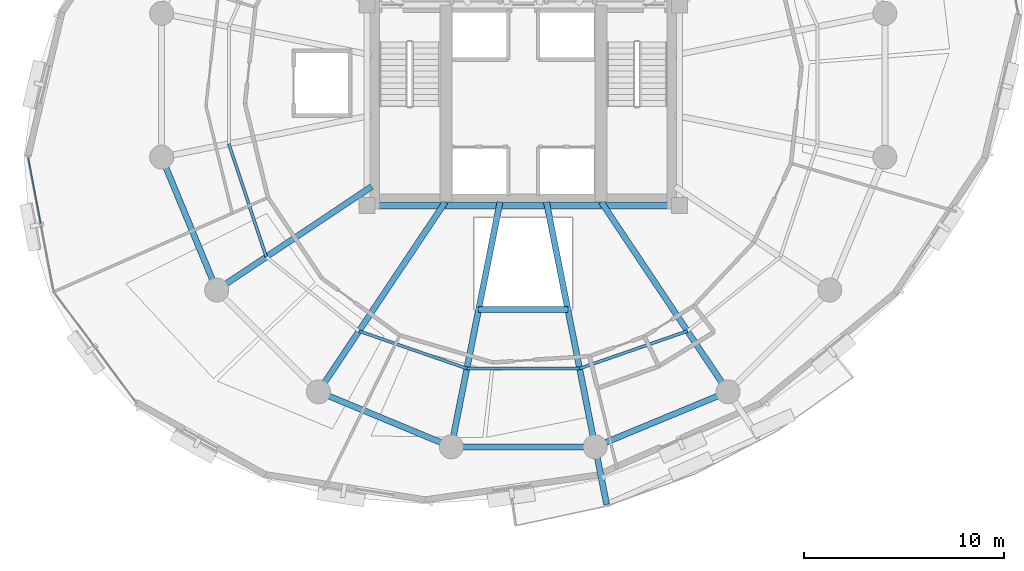
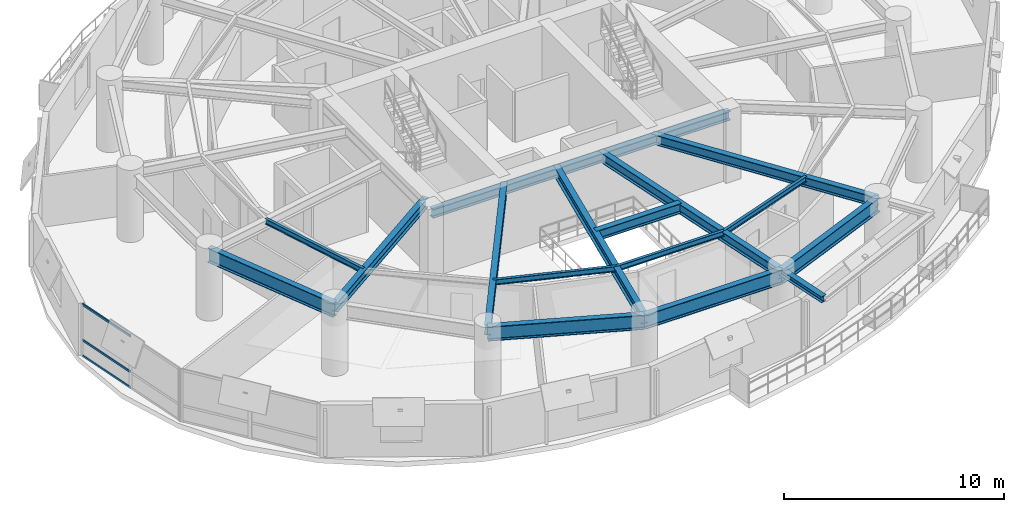
# One storey, part 3 of 14: 16 beams, 3 members, 1 element without a shape of its own.
"""IFC4 building model written with IfcOpenShell, lengths in metres."""

import ifcopenshell
import ifcopenshell.guid

model = None  # the IFC model being written
_history = None  # IfcOwnerHistory: only IFC2X3 demands one
_inside = {}  # id of a spatial element -> (the spatial element, [elements in it])
_under = {}  # id of a project, library or spatial element -> (it, [spatial elements below it])
_declared = {}  # id of a project -> (the project, [libraries it declares])
_typed = {}  # id of a type object -> (the type object, [elements of that type])
_made_of = {}  # id of a material, layer set ... -> (it, [elements and type objects made of it])


def new_model(schema):
    """Start an empty IFC model of exactly this schema.

    Asked for "IFC4X3", IfcOpenShell would pick the latest addendum, in which some entities
    have other attributes; the version numbers below select the first issue.
    IFC2X3 requires an IfcOwnerHistory on every rooted entity: one is made here for all.
    """
    global model, _history
    if schema == "IFC4X3":
        model = ifcopenshell.file(schema_version=(4, 3, 0, 0))
    else:
        model = ifcopenshell.file(schema=schema)
    _inside.clear()
    _under.clear()
    _declared.clear()
    _typed.clear()
    _made_of.clear()
    _history = None
    if model.schema == "IFC2X3":
        org = make("IfcOrganization", Name="unknown")
        user = make(
            "IfcPersonAndOrganization",
            ThePerson=make("IfcPerson", FamilyName="unknown"),
            TheOrganization=org,
        )
        app = make(
            "IfcApplication",
            ApplicationDeveloper=org,
            Version="unknown",
            ApplicationFullName="unknown",
            ApplicationIdentifier="unknown",
        )
        _history = make(
            "IfcOwnerHistory",
            OwningUser=user,
            OwningApplication=app,
            ChangeAction="ADDED",
            CreationDate=0,
        )
    return model


def make(cls, **values):
    """One entity of the class cls with the attributes given. An attribute that is None is left unset."""
    return model.create_entity(
        cls, **{name: value for name, value in values.items() if value is not None}
    )


def rooted(cls, **values):
    """An entity with a GlobalId (a new one), such as an element, a storey or a relation."""
    return make(cls, GlobalId=ifcopenshell.guid.new(), OwnerHistory=_history, **values)


def si_unit(unit_type, name, prefix=None):
    """IfcSIUnit, for example si_unit("LENGTHUNIT", "METRE", prefix="MILLI")."""
    return make("IfcSIUnit", UnitType=unit_type, Prefix=prefix, Name=name)


def assignment(units):
    """IfcUnitAssignment: the units of a project."""
    return None if units is None else make("IfcUnitAssignment", Units=units)


def point(xyz):
    """IfcCartesianPoint."""
    return None if xyz is None else make("IfcCartesianPoint", Coordinates=xyz)


def direction(xyz):
    """IfcDirection."""
    return None if xyz is None else make("IfcDirection", DirectionRatios=xyz)


def frame(location, z_axis=None, x_axis=None):
    """IfcAxis2Placement3D, a coordinate frame: its origin and axes. An axis left out is left unset."""
    return make(
        "IfcAxis2Placement3D",
        Location=point(location),
        Axis=direction(z_axis),
        RefDirection=direction(x_axis),
    )


def frame_2d(location, x_axis=None):
    """IfcAxis2Placement2D, a coordinate frame in the plane: its origin and x axis."""
    return make(
        "IfcAxis2Placement2D", Location=point(location), RefDirection=direction(x_axis)
    )


def origin():
    """The frame at (0, 0, 0) with its axes left unset."""
    return frame((0.0, 0.0, 0.0))


def origin_2d():
    """The frame at (0, 0) in the plane with its x axis left unset."""
    return frame_2d((0.0, 0.0))


def place(relative_to, where):
    """IfcLocalPlacement: puts the frame where relative to a parent placement (None: the world)."""
    return make(
        "IfcLocalPlacement", PlacementRelTo=relative_to, RelativePlacement=where
    )


def context(
    kind, dimensions, precision=None, world=None, true_north=None, identifier=None
):
    """IfcGeometricRepresentationContext, for example the 3D "Model" context."""
    return make(
        "IfcGeometricRepresentationContext",
        ContextIdentifier=identifier,
        ContextType=kind,
        CoordinateSpaceDimension=dimensions,
        Precision=precision,
        WorldCoordinateSystem=world,
        TrueNorth=true_north,
    )


def subcontext(parent, identifier, kind, view, scale=None):
    """IfcGeometricRepresentationSubContext, for example "Body" below "Model"."""
    return make(
        "IfcGeometricRepresentationSubContext",
        ContextIdentifier=identifier,
        ContextType=kind,
        ParentContext=parent,
        TargetScale=scale,
        TargetView=view,
    )


def project(units=None, contexts=None):
    """IfcProject with its units and contexts."""
    return rooted(
        "IfcProject",
        Name="project",
        RepresentationContexts=contexts,
        UnitsInContext=assignment(units),
    )


def spatial(cls, under=None, at=None, **own):
    """A site, building, storey or space (cls), placed at a placement, below another one or the project."""
    s = rooted(cls, ObjectPlacement=at, **own)
    if under is not None:
        _under.setdefault(under.id(), (under, []))[1].append(s)
    return s


def profile(cls, at=None, kind="AREA", **sizes):
    """A parametric profile (cls). Its sizes go by their IFC names, for example OverallWidth=200.0."""
    return make(cls, ProfileType=kind, Position=at, **sizes)


def hollow_rectangle(**sizes):
    """IfcRectangleHollowProfileDef."""
    return profile("IfcRectangleHollowProfileDef", **sizes)


def i_section(**sizes):
    """IfcIShapeProfileDef."""
    return profile("IfcIShapeProfileDef", **sizes)


def extrude(swept, where, along, depth):
    """IfcExtrudedAreaSolid: the profile swept, set in the frame where, extruded along a direction by depth."""
    return make(
        "IfcExtrudedAreaSolid",
        SweptArea=swept,
        Position=where,
        ExtrudedDirection=direction(along),
        Depth=depth,
    )


def shape(context_of_items, identifier, shape_type, items):
    """IfcShapeRepresentation: the items that make up one representation, for example the "Body"."""
    return make(
        "IfcShapeRepresentation",
        ContextOfItems=context_of_items,
        RepresentationIdentifier=identifier,
        RepresentationType=shape_type,
        Items=items,
    )


def material(Name=None, Category=None):
    """IfcMaterial."""
    return make("IfcMaterial", Name=Name, Category=Category)


def layer(
    of_material, thickness, ventilated=None, Name=None, Category=None, Priority=None
):
    """IfcMaterialLayer: one layer of a wall or slab, of a material (None: an air gap)."""
    return make(
        "IfcMaterialLayer",
        Material=of_material,
        LayerThickness=thickness,
        IsVentilated=ventilated,
        Name=Name,
        Category=Category,
        Priority=Priority,
    )


def layer_set(layers, Name=None):
    """IfcMaterialLayerSet."""
    return make("IfcMaterialLayerSet", MaterialLayers=layers, LayerSetName=Name)


def material_profile(
    of_material, cross_section, Name=None, Category=None, Priority=None
):
    """IfcMaterialProfile: a cross section and its material."""
    return make(
        "IfcMaterialProfile",
        Name=Name,
        Material=of_material,
        Profile=cross_section,
        Priority=Priority,
        Category=Category,
    )


def profile_set(profiles, Name=None, composite=None):
    """IfcMaterialProfileSet."""
    return make(
        "IfcMaterialProfileSet",
        Name=Name,
        MaterialProfiles=profiles,
        CompositeProfile=composite,
    )


def made_of(thing, what):
    """Note that an element or type object is made of a material, layer set ...; save() writes the relation."""
    if what is not None:
        _made_of.setdefault(what.id(), (what, []))[1].append(thing)
    return thing


def type_object(cls, material=None, **own):
    """A type object (cls), such as IfcWallType, which elements share."""
    return made_of(rooted(cls, **own), material)


def element(
    cls,
    number,
    at=None,
    inside=None,
    cuts=None,
    type_object=None,
    material=None,
    context=None,
    identifier="Body",
    shape_type=None,
    held_by="IfcProductDefinitionShape",
    body=None,
    shapes=None,
    **own,
):
    """One element of the class cls, such as IfcWall. Its Tag is "e" and its number.

    at: its placement. inside: the storey or other place that contains it. cuts: it is an
    opening in that element (IfcRelVoidsElement). A single representation is given by context,
    identifier, shape_type and body (its items); several are given by shapes. held_by: the class
    of the entity that holds the representations. save() writes the other relations.
    """
    e = rooted(cls, Tag="e%d" % number, ObjectPlacement=at, **own)
    if body is not None:
        shapes = [shape(context, identifier, shape_type, body)]
    if shapes is not None:
        e.Representation = make(held_by, Representations=shapes)
    if inside is not None:
        _inside.setdefault(inside.id(), (inside, []))[1].append(e)
    if cuts is not None:
        rooted(
            "IfcRelVoidsElement", RelatingBuildingElement=cuts, RelatedOpeningElement=e
        )
    if type_object is not None:
        _typed.setdefault(type_object.id(), (type_object, []))[1].append(e)
    return made_of(e, material)


def aggregate(whole, parts):
    """IfcRelAggregates: a whole, such as a stair, and the parts it consists of."""
    return rooted("IfcRelAggregates", RelatingObject=whole, RelatedObjects=parts)


def save(model, path):
    """Write the relations noted so far, then the file.

    IfcRelAggregates (storeys below a building ...), IfcRelContainedInSpatialStructure (elements
    in a storey), IfcRelDefinesByType, IfcRelAssociatesMaterial and IfcRelDeclares: one each for
    every whole, place, type object, material and project.
    """
    for whole, parts in _under.values():
        aggregate(whole, parts)
    for where, things in _inside.values():
        rooted(
            "IfcRelContainedInSpatialStructure",
            RelatedElements=things,
            RelatingStructure=where,
        )
    for kind, things in _typed.values():
        rooted("IfcRelDefinesByType", RelatedObjects=things, RelatingType=kind)
    for what, things in _made_of.values():
        rooted("IfcRelAssociatesMaterial", RelatedObjects=things, RelatingMaterial=what)
    for by, libraries in _declared.values():
        rooted("IfcRelDeclares", RelatingContext=by, RelatedDefinitions=libraries)
    model.write(path)


model = new_model("IFC4")

# Units and contexts
model_context = context("Model", 3, precision=1e-05, world=origin(), true_north=direction((0.0, 1.0)))
body_context = subcontext(model_context, "Body", "Model", "MODEL_VIEW")
ifc_project = project(units=[si_unit("LENGTHUNIT", "METRE"), si_unit("AREAUNIT", "SQUARE_METRE"), si_unit("VOLUMEUNIT", "CUBIC_METRE"), si_unit("PLANEANGLEUNIT", "RADIAN"), si_unit("MASSUNIT", "GRAM", prefix="KILO"), si_unit("THERMODYNAMICTEMPERATUREUNIT", "KELVIN"), si_unit("POWERUNIT", "WATT")], contexts=[model_context])

# Site, building, storey
site_placement = place(None, origin())
site = spatial("IfcSite", under=ifc_project, at=site_placement, CompositionType="ELEMENT")
building_placement = place(site_placement, origin())
building = spatial("IfcBuilding", under=site, at=building_placement, Name="Ocrelia Relay Tower", CompositionType="ELEMENT")
storey_placement = place(building_placement, frame((0.0, 0.0, 133.800048828125)))
storey = spatial("IfcBuildingStorey", under=building, at=storey_placement, Name="L31", CompositionType="ELEMENT", Elevation=133.800048828125)

# Beams
ifc_material_1 = material(Name="Steel S355", Category="steel")
ifc_material_profile_1 = material_profile(ifc_material_1, i_section(OverallWidth=0.300048828125, OverallDepth=0.330078125, WebThickness=0.009521484375, FlangeThickness=0.0166015625, FilletRadius=0.027099609375, at=origin_2d()), Name="HEA 340")
ifc_profile_set_1 = profile_set([ifc_material_profile_1], Name="Steel S355")
beam_type_1 = type_object("IfcBeamType", Name="BM-HEA340", PredefinedType="BEAM", material=ifc_profile_set_1)
beam_1_placement = place(storey_placement, frame((37.589599609375, 7.95361328125, 3.554931640625), z_axis=(0.195107582874, -0.980781846847, 0.0), x_axis=(0.980781846847, 0.195107582874, 0.0)))
element("IfcBeam", 1, at=beam_1_placement, inside=storey, type_object=beam_type_1, Name="L32 Balcony Cantilever Beam B2-1", PredefinedType="BEAM", context=body_context, shape_type="SweptSolid", body=[
    extrude(i_section(OverallWidth=0.300048828125, OverallDepth=0.330078125, WebThickness=0.009521484375, FlangeThickness=0.0166015625, FilletRadius=0.027099609375, at=origin_2d()), origin(), (0.0, 0.0, 1.0), 2.93310546875),
])
ifc_material_profile_2 = material_profile(ifc_material_1, i_section(OverallWidth=0.300048828125, OverallDepth=0.5, WebThickness=0.014404296875, FlangeThickness=0.028076171875, FilletRadius=0.027099609375, at=origin_2d()), Name="HEB 500")
ifc_profile_set_2 = profile_set([ifc_material_profile_2], Name="Steel S355")
beam_type_2 = type_object("IfcBeamType", Name="BM-HEB500", PredefinedType="BEAM", material=ifc_profile_set_2)
beam_2_placement = place(storey_placement, frame((26.199951171875, 20.0, 3.469970703125), z_axis=(1.0, 0.0, 0.0), x_axis=(0.0, 1.0, 0.0)))
element("IfcBeam", 2, at=beam_2_placement, inside=storey, type_object=beam_type_2, Name="L31 Core Pilaster Tie Beam S", PredefinedType="BEAM", context=body_context, shape_type="SweptSolid", body=[
    extrude(i_section(OverallWidth=0.300048828125, OverallDepth=0.5, WebThickness=0.014404296875, FlangeThickness=0.028076171875, FilletRadius=0.027099609375, at=origin_2d()), origin(), (0.0, 0.0, 1.0), 15.60009765625),
])
ifc_material_profile_3 = material_profile(ifc_material_1, i_section(OverallWidth=0.300048828125, OverallDepth=0.550048828125, WebThickness=0.014892578125, FlangeThickness=0.029052734375, FilletRadius=0.027099609375, at=origin_2d()), Name="HEB 550")
ifc_profile_set_3 = profile_set([ifc_material_profile_3], Name="Steel S355")
beam_type_3 = type_object("IfcBeamType", Name="BM-HEB550", PredefinedType="BEAM", material=ifc_profile_set_3)
beam_3_placement = place(storey_placement, frame((18.700927734375, 15.777587890625, 3.445068359375), z_axis=(0.831472030531, 0.555566613868, 0.0), x_axis=(-0.555566613868, 0.831472030531, 0.0)))
element("IfcBeam", 3, at=beam_3_placement, inside=storey, type_object=beam_type_3, Name="L31 Radial Floor Girder R10", PredefinedType="BEAM", context=body_context, shape_type="SweptSolid", body=[
    extrude(i_section(OverallWidth=0.300048828125, OverallDepth=0.550048828125, WebThickness=0.014892578125, FlangeThickness=0.029052734375, FilletRadius=0.027099609375, at=origin_2d()), origin(), (0.0, 0.0, 1.0), 9.295654296875),
])
beam_4_placement = place(storey_placement, frame((23.777587890625, 10.700927734375, 3.445068359375), z_axis=(0.555565661158, 0.831472667105, 0.0), x_axis=(-0.831472667105, 0.555565661158, 0.0)))
element("IfcBeam", 4, at=beam_4_placement, inside=storey, type_object=beam_type_3, Name="L31 Radial Floor Girder R11", PredefinedType="BEAM", context=body_context, shape_type="SweptSolid", body=[
    extrude(i_section(OverallWidth=0.300048828125, OverallDepth=0.550048828125, WebThickness=0.014892578125, FlangeThickness=0.029052734375, FilletRadius=0.027099609375, at=origin_2d()), origin(), (0.0, 0.0, 1.0), 11.38818359375),
])
for number, where, z_axis, x_axis, name in (
    (5, (30.410400390625, 7.95361328125, 3.445068359375), (0.195086983979, 0.980785944374, 0.0), (-0.980785944374, 0.195086983979, 0.0), "L31 Radial Floor Girder R12"),
    (6, (37.589599609375, 7.95361328125, 3.445068359375), (-0.195086983979, 0.980785944374, 0.0), (-0.980785944374, -0.195086983979, 0.0), "L31 Radial Floor Girder R13"),
):
    element("IfcBeam", number, at=place(storey_placement, frame(where, z_axis=z_axis, x_axis=x_axis)), inside=storey, type_object=beam_type_3, Name=name, PredefinedType="BEAM", context=body_context, shape_type="SweptSolid", body=[
        extrude(i_section(OverallWidth=0.300048828125, OverallDepth=0.550048828125, WebThickness=0.014892578125, FlangeThickness=0.029052734375, FilletRadius=0.027099609375, at=origin_2d()), origin(), (0.0, 0.0, 1.0), 12.45556640625),
    ])
beam_5_placement = place(storey_placement, frame((44.222412109375, 10.700927734375, 3.445068359375), z_axis=(-0.555565661158, 0.831472667105, 0.0), x_axis=(-0.831472667105, -0.555565661158, 0.0)))
element("IfcBeam", 7, at=beam_5_placement, inside=storey, type_object=beam_type_3, Name="L31 Radial Floor Girder R14", PredefinedType="BEAM", context=body_context, shape_type="SweptSolid", body=[
    extrude(i_section(OverallWidth=0.300048828125, OverallDepth=0.550048828125, WebThickness=0.014892578125, FlangeThickness=0.029052734375, FilletRadius=0.027099609375, at=origin_2d()), origin(), (0.0, 0.0, 1.0), 11.38818359375),
])
beam_6_placement = place(storey_placement, frame((31.772216796875, 14.800048828125, 3.445068359375), z_axis=(1.0, 0.0, 0.0), x_axis=(0.0, 1.0, 0.0)))
element("IfcBeam", 8, at=beam_6_placement, inside=storey, type_object=beam_type_3, Name="L31 Atrium South Trimmer Beam", PredefinedType="BEAM", context=body_context, shape_type="SweptSolid", body=[
    extrude(i_section(OverallWidth=0.300048828125, OverallDepth=0.550048828125, WebThickness=0.014892578125, FlangeThickness=0.029052734375, FilletRadius=0.027099609375, at=origin_2d()), origin(), (0.0, 0.0, 1.0), 4.45556640625),
])
ifc_material_profile_4 = material_profile(ifc_material_1, i_section(OverallWidth=0.300048828125, OverallDepth=0.800048828125, WebThickness=0.017578125, FlangeThickness=0.032958984375, FilletRadius=0.030029296875, at=origin_2d()), Name="HEB 800")
ifc_profile_set_4 = profile_set([ifc_material_profile_4], Name="Steel S355")
beam_type_4 = type_object("IfcBeamType", Name="BM-HEB800", PredefinedType="BEAM", material=ifc_profile_set_4)
for number, where, z_axis, x_axis, name in (
    (9, (15.95361328125, 22.410400390625, 3.320068359375), (0.382673155247, -0.923883789366, 0.0), (0.923883789366, 0.382673155247, 0.0), "L31 Perimeter Spandrel Beam S09"),
    (10, (23.777587890625, 10.700927734375, 3.320068359375), (0.923883789366, -0.382673155247, 0.0), (0.382673155247, 0.923883789366, 0.0), "L31 Perimeter Spandrel Beam S11"),
    (11, (30.410400390625, 7.95361328125, 3.320068359375), (1.0, 0.0, 0.0), (0.0, 1.0, 0.0), "L31 Perimeter Spandrel Beam S12"),
    (12, (37.589599609375, 7.95361328125, 3.320068359375), (0.923883789366, 0.382673155247, 0.0), (-0.382673155247, 0.923883789366, 0.0), "L31 Perimeter Spandrel Beam S13"),
):
    element("IfcBeam", number, at=place(storey_placement, frame(where, z_axis=z_axis, x_axis=x_axis)), inside=storey, type_object=beam_type_4, Name=name, PredefinedType="BEAM", context=body_context, shape_type="SweptSolid", body=[
        extrude(i_section(OverallWidth=0.300048828125, OverallDepth=0.800048828125, WebThickness=0.017578125, FlangeThickness=0.032958984375, FilletRadius=0.030029296875, at=origin_2d()), origin(), (0.0, 0.0, 1.0), 7.17919921875),
    ])
ifc_material_profile_5 = material_profile(ifc_material_1, i_section(OverallWidth=0.14990234375, OverallDepth=0.300048828125, WebThickness=0.007080078125, FlangeThickness=0.0107421875, FilletRadius=0.014892578125, at=origin_2d()), Name="IPE 300")
ifc_profile_set_5 = profile_set([ifc_material_profile_5], Name="Steel S355")
beam_type_5 = type_object("IfcBeamType", Name="BM-IPE300", PredefinedType="JOIST", material=ifc_profile_set_5)
beam_7_placement = place(storey_placement, frame((19.305908203125, 23.0771484375, 3.570068359375), z_axis=(0.314121352003, -0.949382839647, 0.0), x_axis=(0.949382839647, 0.314121352003, 0.0)))
element("IfcBeam", 13, at=beam_7_placement, inside=storey, type_object=beam_type_5, Name="L31 Secondary Floor Joist J09", PredefinedType="JOIST", context=body_context, shape_type="SweptSolid", body=[
    extrude(i_section(OverallWidth=0.14990234375, OverallDepth=0.300048828125, WebThickness=0.007080078125, FlangeThickness=0.0107421875, FilletRadius=0.014892578125, at=origin_2d()), origin(), (0.0, 0.0, 1.0), 5.947998046875),
])
beam_8_placement = place(storey_placement, frame((25.802001953125, 13.731201171875, 3.570068359375), z_axis=(0.944767437111, -0.327741498401, 0.0), x_axis=(0.327741498401, 0.944767437111, 0.0)))
element("IfcBeam", 14, at=beam_8_placement, inside=storey, type_object=beam_type_5, Name="L31 Secondary Floor Joist J11", PredefinedType="JOIST", context=body_context, shape_type="SweptSolid", body=[
    extrude(i_section(OverallWidth=0.14990234375, OverallDepth=0.300048828125, WebThickness=0.007080078125, FlangeThickness=0.0107421875, FilletRadius=0.014892578125, at=origin_2d()), origin(), (0.0, 0.0, 1.0), 5.700927734375),
])
beam_9_placement = place(storey_placement, frame((31.18798828125, 11.86279296875, 3.570068359375), z_axis=(1.0, 0.0, 0.0), x_axis=(0.0, 1.0, 0.0)))
element("IfcBeam", 15, at=beam_9_placement, inside=storey, type_object=beam_type_5, Name="L31 Secondary Floor Joist J12", PredefinedType="JOIST", context=body_context, shape_type="SweptSolid", body=[
    extrude(i_section(OverallWidth=0.14990234375, OverallDepth=0.300048828125, WebThickness=0.007080078125, FlangeThickness=0.0107421875, FilletRadius=0.014892578125, at=origin_2d()), origin(), (0.0, 0.0, 1.0), 5.6240234375),
])
beam_10_placement = place(storey_placement, frame((36.81201171875, 11.86279296875, 3.570068359375), z_axis=(0.944767437111, 0.327741498401, 0.0), x_axis=(-0.327741498401, 0.944767437111, 0.0)))
element("IfcBeam", 16, at=beam_10_placement, inside=storey, type_object=beam_type_5, Name="L31 Secondary Floor Joist J13", PredefinedType="JOIST", context=body_context, shape_type="SweptSolid", body=[
    extrude(i_section(OverallWidth=0.14990234375, OverallDepth=0.300048828125, WebThickness=0.007080078125, FlangeThickness=0.0107421875, FilletRadius=0.014892578125, at=origin_2d()), origin(), (0.0, 0.0, 1.0), 5.700927734375),
])

# Curtain wall, members
ifc_material_2 = material(Name="Aluminium and solar-control low-E glass", Category="aluminium")
ifc_layer = layer(ifc_material_2, 0.179931640625, Name="Aluminium and solar-control low-E glass")
ifc_layer_set = layer_set([ifc_layer], Name="Aluminium and solar-control low-E glass")
curtain_wall_type = type_object("IfcCurtainWallType", Name="CW-SYS-Z2-SWIT", PredefinedType="NOTDEFINED", material=ifc_layer_set)
curtain_wall_placement = place(storey_placement, origin())
curtain_wall = element("IfcCurtainWall", 17, at=curtain_wall_placement, inside=storey, type_object=curtain_wall_type, Name="L31 Elliptical Tower Curtain Wall Bay 09", PredefinedType="NOTDEFINED")
ifc_material_3 = material(Name="Anodised bronze aluminium", Category="aluminium")
ifc_material_profile_6 = material_profile(ifc_material_3, hollow_rectangle(XDim=0.06005859375, YDim=0.1201171875, WallThickness=0.0048828125, at=origin_2d()), Name="CW-TRN-120x60")
ifc_profile_set_6 = profile_set([ifc_material_profile_6], Name="Anodised bronze aluminium")
member_type = type_object("IfcMemberType", Name="CW-SYS-Z2-SWIT-TRN", PredefinedType="USERDEFINED", material=ifc_profile_set_6)
member_1_placement = place(storey_placement, frame((9.29443359375, 22.378662109375, 0.030029296875), z_axis=(0.187068370008, -0.982346896439, 0.0), x_axis=(0.982346896439, 0.187068370008, 0.0)))
member_1 = element("IfcMember", 18, at=member_1_placement, type_object=member_type, Name="CW-Z2 transom 1.1", ObjectType="TRANSOM", PredefinedType="USERDEFINED", context=body_context, shape_type="SweptSolid", body=[
    extrude(hollow_rectangle(XDim=0.06005859375, YDim=0.1201171875, WallThickness=0.0048828125, at=origin_2d()), origin(), (0.0, 0.0, 1.0), 3.33447265625),
])
member_2_placement = place(storey_placement, frame((9.29443359375, 22.378662109375, 0.89990234375), z_axis=(0.187068370008, -0.982346896439, 0.0), x_axis=(0.982346896439, 0.187068370008, 0.0)))
member_2 = element("IfcMember", 19, at=member_2_placement, type_object=member_type, Name="CW-Z2 transom 1.2", ObjectType="TRANSOM", PredefinedType="USERDEFINED", context=body_context, shape_type="SweptSolid", body=[
    extrude(hollow_rectangle(XDim=0.06005859375, YDim=0.1201171875, WallThickness=0.0048828125, at=origin_2d()), origin(), (0.0, 0.0, 1.0), 3.33447265625),
])
member_3_placement = place(storey_placement, frame((9.29443359375, 22.378662109375, 2.869873046875), z_axis=(0.187068370008, -0.982346896439, 0.0), x_axis=(0.982346896439, 0.187068370008, 0.0)))
member_3 = element("IfcMember", 20, at=member_3_placement, type_object=member_type, Name="CW-Z2 transom 1.3", ObjectType="TRANSOM", PredefinedType="USERDEFINED", context=body_context, shape_type="SweptSolid", body=[
    extrude(hollow_rectangle(XDim=0.06005859375, YDim=0.1201171875, WallThickness=0.0048828125, at=origin_2d()), origin(), (0.0, 0.0, 1.0), 3.33447265625),
])
aggregate(curtain_wall, [member_1, member_2, member_3])

save(model, "model.ifc")
